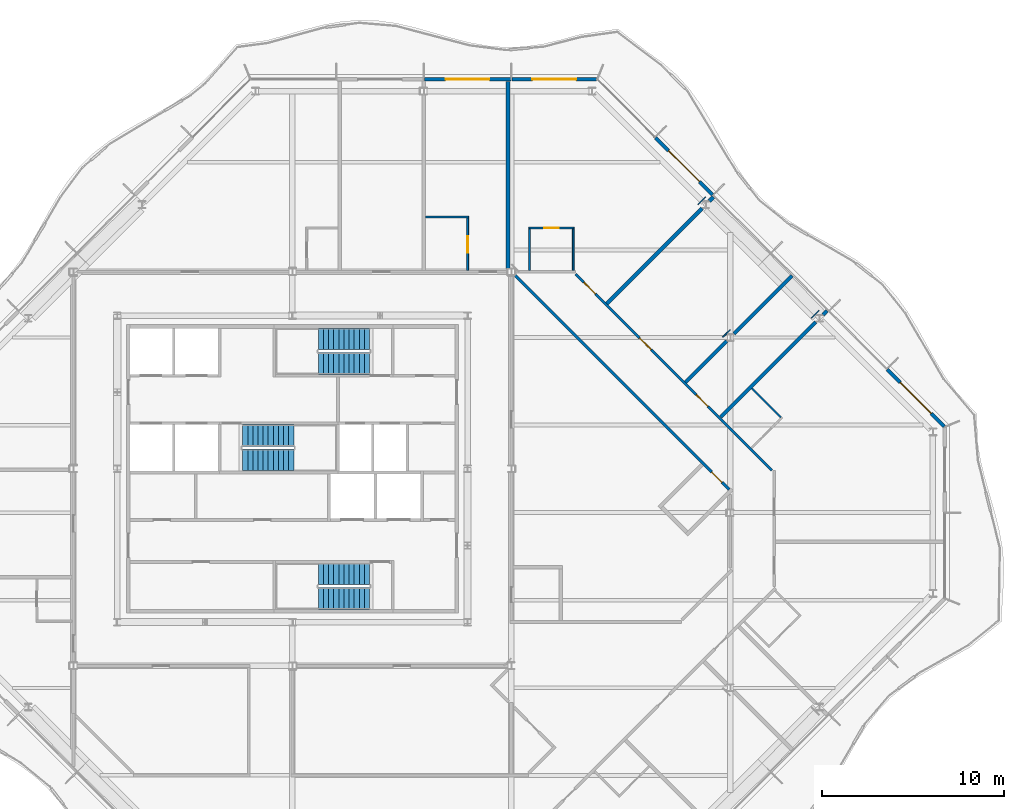
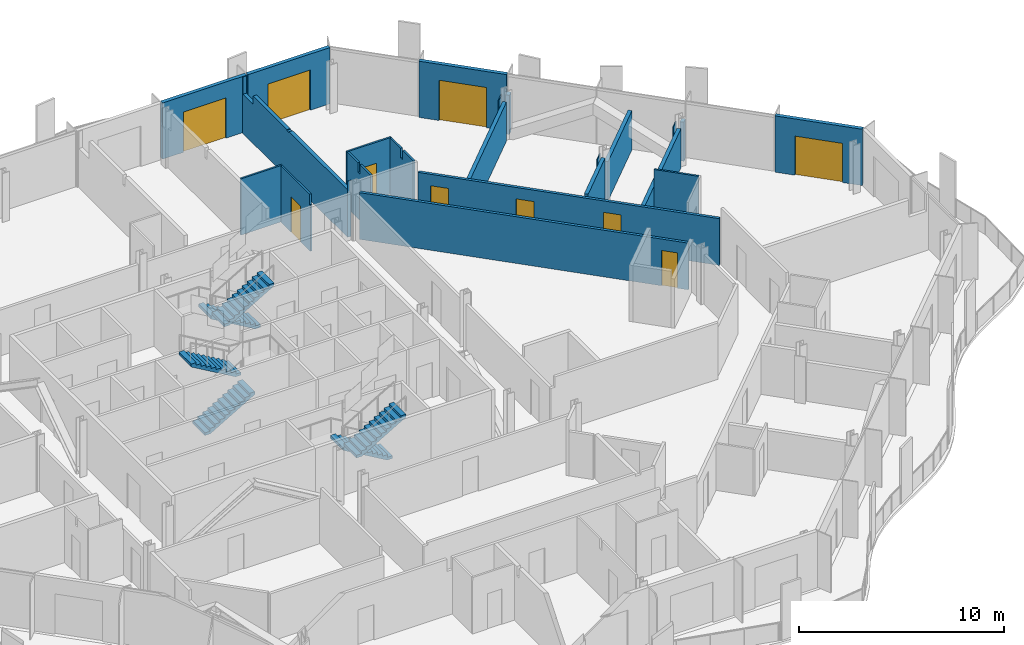
# One storey, part 12 of 17: 22 walls, 10 doors, 6 stair flights, 10 openings, 3 elements without a shape of their own.
"""IFC4 building model written with IfcOpenShell, lengths in metres."""

from ifc_helpers import new_model, si_unit, direction, frame, frame_2d, origin, place, context, subcontext, project, spatial, polyline, rectangle, outline, extrude, material, layer, layer_set, type_object, element, fill, aggregate, save


model = new_model("IFC4")

# Units and contexts
model_context = context("Model", 3, precision=1e-05, world=origin(), true_north=direction((0.0, 1.0)))
body_context = subcontext(model_context, "Body", "Model", "MODEL_VIEW")
ifc_project = project(units=[si_unit("LENGTHUNIT", "METRE"), si_unit("AREAUNIT", "SQUARE_METRE"), si_unit("VOLUMEUNIT", "CUBIC_METRE"), si_unit("PLANEANGLEUNIT", "RADIAN"), si_unit("MASSUNIT", "GRAM", prefix="KILO")], contexts=[model_context])

# Site, building, storey
site_placement = place(None, origin())
site = spatial("IfcSite", under=ifc_project, at=site_placement, CompositionType="ELEMENT")
building_placement = place(site_placement, origin())
building = spatial("IfcBuilding", under=site, at=building_placement, Name="Cairn Pilgrim Tower", CompositionType="ELEMENT")
storey_placement = place(building_placement, frame((0.0, 0.0, 257.39990234375)))
storey = spatial("IfcBuildingStorey", under=building, at=storey_placement, Name="L66", CompositionType="ELEMENT", Elevation=257.39990234375)

# Wall, opening, door
ifc_material_1 = material(Name="Bronze anodised aluminium insulated sandwich panel with mineral wool fill", Category="aluminium")
ifc_layer_1 = layer(ifc_material_1, 0.199951171875)
ifc_layer_set_1 = layer_set([ifc_layer_1], Name="BRONZE INFILL FRAME WALL 200")
wall_type_1 = type_object("IfcWallType", Name="BRONZE INFILL FRAME WALL 200", PredefinedType="NOTDEFINED", material=ifc_layer_set_1)
wall_1_placement = place(storey_placement, frame((42.921630859375, 4.724609375, 0.0), z_axis=(0.0, 0.0, 1.0), x_axis=(-0.707079168996, 0.707134392299, 0.0)))
wall_1 = element("IfcWall", 1, at=wall_1_placement, inside=storey, type_object=wall_type_1, Name="Bronze infill frame wall IW-NE1", PredefinedType="NOTDEFINED", context=body_context, shape_type="SweptSolid", body=[
    extrude(rectangle(XDim=4.4208984375, YDim=0.199951171875, at=frame_2d((2.21044921875, 0.0))), origin(), (0.0, 0.0, 1.0), 3.35009765625),
])
opening_1_placement = place(wall_1_placement, frame((1.00537109375, 0.0, 0.0)))
opening_1 = element("IfcOpeningElement", 2, at=opening_1_placement, cuts=wall_1, Name="Opening 6605B2", PredefinedType="OPENING", context=body_context, shape_type="SweptSolid", body=[
    extrude(rectangle(XDim=2.39990234375, YDim=2.330078125, at=frame_2d((1.199951171875, 1.1650390625))), frame((0.0, 0.10986328125, 0.0), z_axis=(0.0, -1.0, 0.0), x_axis=(1.0, 0.0, 0.0)), (0.0, 0.0, 1.0), 0.219970703125),
])
ifc_material_2 = material(Name="Bronze anodised aluminium frame with tinted low-E glass", Category="aluminium")
door_type_1 = type_object("IfcDoorType", Name="BALCONY SLIDING DOOR 2400x2330", OperationType="DOUBLE_DOOR_SLIDING", PredefinedType="DOOR", material=ifc_material_2)
door_1_placement = place(opening_1_placement, origin())
door_1 = element("IfcDoor", 3, at=door_1_placement, inside=storey, type_object=door_type_1, Name="Balcony sliding door 6605B2", OperationType="SINGLE_SWING_LEFT", OverallHeight=2.330078125, OverallWidth=2.39990234375, PredefinedType="DOOR", context=body_context, shape_type="SweptSolid", body=[
    extrude(rectangle(XDim=2.39990234375, YDim=2.330078125, at=frame_2d((1.199951171875, 1.1650390625))), frame((0.0, 0.02490234375, 0.0), z_axis=(0.0, -1.0, 0.0), x_axis=(1.0, 0.0, 0.0)), (0.0, 0.0, 1.0), 0.050048828125),
])
fill(opening_1, door_1)

wall_2_placement = place(storey_placement, frame((30.226318359375, 17.419921875, 0.0), z_axis=(0.0, 0.0, 1.0), x_axis=(-0.707079231393, 0.707134329907, 0.0)))
wall_2 = element("IfcWall", 4, at=wall_2_placement, inside=storey, type_object=wall_type_1, Name="Bronze infill frame wall IW-NE5", PredefinedType="NOTDEFINED", context=body_context, shape_type="SweptSolid", body=[
    extrude(rectangle(XDim=4.430908203125, YDim=0.199951171875, at=frame_2d((2.21533203125, 0.0))), origin(), (0.0, 0.0, 1.0), 3.35009765625),
])
opening_2_placement = place(wall_2_placement, frame((1.01513671875, 0.0, 0.0)))
opening_2 = element("IfcOpeningElement", 5, at=opening_2_placement, cuts=wall_2, Name="Opening 6608B2", PredefinedType="OPENING", context=body_context, shape_type="SweptSolid", body=[
    extrude(rectangle(XDim=2.39990234375, YDim=2.39990234375, at=frame_2d((1.199951171875, 1.199951171875))), frame((0.0, 0.10986328125, 0.0), z_axis=(0.0, -1.0, 0.0), x_axis=(1.0, 0.0, 0.0)), (0.0, 0.0, 1.0), 0.219970703125),
])
door_type_2 = type_object("IfcDoorType", Name="BALCONY SLIDING DOOR 2400x2400", OperationType="DOUBLE_DOOR_SLIDING", PredefinedType="DOOR", material=ifc_material_2)
door_2_placement = place(opening_2_placement, origin())
door_2 = element("IfcDoor", 6, at=door_2_placement, inside=storey, type_object=door_type_2, Name="Balcony sliding door 6608B2", OperationType="SINGLE_SWING_LEFT", OverallHeight=2.39990234375, OverallWidth=2.39990234375, PredefinedType="DOOR", context=body_context, shape_type="SweptSolid", body=[
    extrude(rectangle(XDim=2.39990234375, YDim=2.39990234375, at=frame_2d((1.199951171875, 1.199951171875))), frame((0.0, 0.02490234375, 0.0), z_axis=(0.0, -1.0, 0.0), x_axis=(1.0, 0.0, 0.0)), (0.0, 0.0, 1.0), 0.050048828125),
])
fill(opening_2, door_2)

wall_3_placement = place(storey_placement, frame((23.8564453125, 23.75, 0.0), z_axis=(0.0, 0.0, 1.0), x_axis=(-1.0, 0.0, 0.0)))
wall_3 = element("IfcWall", 7, at=wall_3_placement, inside=storey, type_object=wall_type_1, Name="Bronze infill frame wall IW-N1", PredefinedType="NOTDEFINED", context=body_context, shape_type="SweptSolid", body=[
    extrude(rectangle(XDim=4.62646484375, YDim=0.199951171875, at=frame_2d((2.313232421875, 0.0))), origin(), (0.0, 0.0, 1.0), 3.35009765625),
])
opening_3_placement = place(wall_3_placement, frame((1.1083984375, 0.0, 0.0)))
opening_3 = element("IfcOpeningElement", 8, at=opening_3_placement, cuts=wall_3, Name="Opening 6608B", PredefinedType="OPENING", context=body_context, shape_type="SweptSolid", body=[
    extrude(rectangle(XDim=2.39990234375, YDim=2.39990234375, at=frame_2d((1.199951171875, 1.199951171875))), frame((0.0, 0.10986328125, 0.0), z_axis=(0.0, -1.0, 0.0), x_axis=(1.0, 0.0, 0.0)), (0.0, 0.0, 1.0), 0.219970703125),
])
door_3_placement = place(opening_3_placement, origin())
door_3 = element("IfcDoor", 9, at=door_3_placement, inside=storey, type_object=door_type_2, Name="Balcony sliding door 6608B", OperationType="SINGLE_SWING_LEFT", OverallHeight=2.39990234375, OverallWidth=2.39990234375, PredefinedType="DOOR", context=body_context, shape_type="SweptSolid", body=[
    extrude(rectangle(XDim=2.39990234375, YDim=2.39990234375, at=frame_2d((1.199951171875, 1.199951171875))), frame((0.0, 0.02490234375, 0.0), z_axis=(0.0, -1.0, 0.0), x_axis=(1.0, 0.0, 0.0)), (0.0, 0.0, 1.0), 0.050048828125),
])
fill(opening_3, door_3)

wall_4_placement = place(storey_placement, frame((19.169921875, 23.75, 0.0), z_axis=(0.0, 0.0, 1.0), x_axis=(-1.0, 0.0, 0.0)))
wall_4 = element("IfcWall", 10, at=wall_4_placement, inside=storey, type_object=wall_type_1, Name="Bronze infill frame wall IW-N2", PredefinedType="NOTDEFINED", context=body_context, shape_type="SweptSolid", body=[
    extrude(rectangle(XDim=4.739990234375, YDim=0.199951171875, at=frame_2d((2.3701171875, 0.0))), origin(), (0.0, 0.0, 1.0), 3.35009765625),
])
opening_4_placement = place(wall_4_placement, frame((1.17041015625, 0.0, 0.0)))
opening_4 = element("IfcOpeningElement", 11, at=opening_4_placement, cuts=wall_4, Name="Opening 6609B", PredefinedType="OPENING", context=body_context, shape_type="SweptSolid", body=[
    extrude(rectangle(XDim=2.39990234375, YDim=2.39990234375, at=frame_2d((1.199951171875, 1.199951171875))), frame((0.0, 0.10986328125, 0.0), z_axis=(0.0, -1.0, 0.0), x_axis=(1.0, 0.0, 0.0)), (0.0, 0.0, 1.0), 0.219970703125),
])
door_4_placement = place(opening_4_placement, origin())
door_4 = element("IfcDoor", 12, at=door_4_placement, inside=storey, type_object=door_type_2, Name="Balcony sliding door 6609B", OperationType="SINGLE_SWING_LEFT", OverallHeight=2.39990234375, OverallWidth=2.39990234375, PredefinedType="DOOR", context=body_context, shape_type="SweptSolid", body=[
    extrude(rectangle(XDim=2.39990234375, YDim=2.39990234375, at=frame_2d((1.199951171875, 1.199951171875))), frame((0.0, 0.02490234375, 0.0), z_axis=(0.0, -1.0, 0.0), x_axis=(1.0, 0.0, 0.0)), (0.0, 0.0, 1.0), 0.050048828125),
])
fill(opening_4, door_4)

# Wall
ifc_material_3 = material(Name="Gypsum partition")
ifc_layer_2 = layer(ifc_material_3, 0.10009765625)
ifc_layer_set_2 = layer_set([ifc_layer_2], Name="PARTITION 100 DRYWALL")
wall_type_2 = type_object("IfcWallType", Name="PARTITION 100 DRYWALL", PredefinedType="PARTITIONING", material=ifc_layer_set_2)
wall_5_placement = place(storey_placement, frame((33.967529296875, 5.220458984375, 0.0), z_axis=(0.0, 0.0, 1.0), x_axis=(-0.707106781187, 0.707106781187, 0.0)))
element("IfcWall", 13, at=wall_5_placement, inside=storey, type_object=wall_type_2, Name="PARTITION W060", PredefinedType="PARTITIONING", context=body_context, shape_type="SweptSolid", body=[
    extrude(rectangle(XDim=2.249755859375, YDim=0.10009765625, at=frame_2d((1.125, 0.0))), origin(), (0.0, 0.0, 1.0), 3.35009765625),
])

# Wall, opening, door
wall_6_placement = place(storey_placement, frame((16.800048828125, 13.27490234375, 0.0), z_axis=(0.0, 0.0, 1.0), x_axis=(0.0, 1.0, 0.0)))
wall_6 = element("IfcWall", 14, at=wall_6_placement, inside=storey, type_object=wall_type_2, Name="PARTITION W071", PredefinedType="PARTITIONING", context=body_context, shape_type="SweptSolid", body=[
    extrude(outline(polyline([(0.0, 0.0), (2.875, 0.0), (2.875, 3.35009765625), (0.074951171875, 3.35009765625), (0.072998046875, 2.72998046875), (0.0, 2.72998046875), (0.0, 0.0)])), frame((0.0, 0.050048828125, 0.0), z_axis=(0.0, -1.0, 0.0), x_axis=(1.0, 0.0, 0.0)), (0.0, 0.0, 1.0), 0.10009765625),
])
opening_5_placement = place(wall_6_placement, frame((0.97509765625, 0.0, 0.0)))
opening_5 = element("IfcOpeningElement", 15, at=opening_5_placement, cuts=wall_6, Name="Opening 6609A", PredefinedType="OPENING", context=body_context, shape_type="SweptSolid", body=[
    extrude(rectangle(XDim=0.89990234375, YDim=2.10009765625, at=frame_2d((0.449951171875, 1.050048828125))), frame((0.0, 0.06005859375, 0.0), z_axis=(0.0, -1.0, 0.0), x_axis=(1.0, 0.0, 0.0)), (0.0, 0.0, 1.0), 0.1201171875),
])
ifc_material_4 = material(Name="Timber door leaf", Category="wood")
door_type_3 = type_object("IfcDoorType", Name="WC DOOR 900x2100", OperationType="NOTDEFINED", PredefinedType="DOOR", material=ifc_material_4)
door_5_placement = place(opening_5_placement, frame((0.89990234375, 0.0, 0.0), z_axis=(0.0, 0.0, 1.0), x_axis=(-1.0, 0.0, 0.0)))
door_5 = element("IfcDoor", 16, at=door_5_placement, inside=storey, type_object=door_type_3, Name="DOOR 6609A", OperationType="SINGLE_SWING_RIGHT", OverallHeight=2.10009765625, OverallWidth=0.89990234375, PredefinedType="DOOR", context=body_context, shape_type="SweptSolid", body=[
    extrude(rectangle(XDim=0.89990234375, YDim=2.10009765625, at=frame_2d((0.449951171875, 1.050048828125))), frame((0.0, 0.02490234375, 0.0), z_axis=(0.0, -1.0, 0.0), x_axis=(1.0, 0.0, 0.0)), (0.0, 0.0, 1.0), 0.050048828125),
])
fill(opening_5, door_5)

# Walls
for number, where, z_axis, x_axis, name in (
    (17, (20.194091796875, 13.27490234375, 0.0), (0.0, 0.0, 1.0), (0.0, 1.0, 0.0), "PARTITION W072"),
    (18, (22.593994140625, 13.27490234375, 0.0), (0.0, 0.0, 1.0), (0.0, 1.0, 0.0), "PARTITION W073"),
):
    element("IfcWall", number, at=place(storey_placement, frame(where, z_axis=z_axis, x_axis=x_axis)), inside=storey, type_object=wall_type_2, Name=name, PredefinedType="PARTITIONING", context=body_context, shape_type="SweptSolid", body=[
        extrude(outline(polyline([(0.0, 0.0), (2.275146484375, 0.0), (2.27490234375, 3.35009765625), (1.22998046875, 3.35009765625), (1.22802734375, 2.780029296875), (1.02001953125, 2.780029296875), (1.01806640625, 3.35009765625), (0.0, 3.35009765625), (0.0, 0.0)])), frame((0.0, 0.050048828125, 0.0), z_axis=(0.0, -1.0, 0.0), x_axis=(1.0, 0.0, 0.0)), (0.0, 0.0, 1.0), 0.10009765625),
    ])

# Wall, opening, door
wall_7_placement = place(storey_placement, frame((20.14404296875, 15.60009765625, 0.0), z_axis=(0.0, 0.0, 1.0), x_axis=(1.0, 0.0, 0.0)))
wall_7 = element("IfcWall", 19, at=wall_7_placement, inside=storey, type_object=wall_type_2, Name="PARTITION W076", PredefinedType="PARTITIONING", context=body_context, shape_type="SweptSolid", body=[
    extrude(rectangle(XDim=2.5, YDim=0.10009765625, at=frame_2d((1.25, 0.0))), origin(), (0.0, 0.0, 1.0), 3.35009765625),
])
opening_6_placement = place(wall_7_placement, frame((0.85009765625, 0.0, 0.0)))
opening_6 = element("IfcOpeningElement", 20, at=opening_6_placement, cuts=wall_7, Name="Opening 6608A", PredefinedType="OPENING", context=body_context, shape_type="SweptSolid", body=[
    extrude(rectangle(XDim=0.800048828125, YDim=2.10009765625, at=frame_2d((0.39990234375, 1.050048828125))), frame((0.0, 0.06005859375, 0.0), z_axis=(0.0, -1.0, 0.0), x_axis=(1.0, 0.0, 0.0)), (0.0, 0.0, 1.0), 0.1201171875),
])
door_type_4 = type_object("IfcDoorType", Name="WC DOOR 800x2100", OperationType="NOTDEFINED", PredefinedType="DOOR", material=ifc_material_4)
door_6_placement = place(opening_6_placement, origin())
door_6 = element("IfcDoor", 21, at=door_6_placement, inside=storey, type_object=door_type_4, Name="DOOR 6608A", OperationType="SINGLE_SWING_RIGHT", OverallHeight=2.10009765625, OverallWidth=0.800048828125, PredefinedType="DOOR", context=body_context, shape_type="SweptSolid", body=[
    extrude(rectangle(XDim=0.800048828125, YDim=2.10009765625, at=frame_2d((0.39990234375, 1.050048828125))), frame((0.0, 0.02490234375, 0.0), z_axis=(0.0, -1.0, 0.0), x_axis=(1.0, 0.0, 0.0)), (0.0, 0.0, 1.0), 0.050048828125),
])
fill(opening_6, door_6)

# Wall
wall_8_placement = place(storey_placement, frame((14.5, 16.199951171875, 0.0), z_axis=(0.0, 0.0, 1.0), x_axis=(1.0, 0.0, 0.0)))
element("IfcWall", 22, at=wall_8_placement, inside=storey, type_object=wall_type_2, Name="PARTITION W077", PredefinedType="PARTITIONING", context=body_context, shape_type="SweptSolid", body=[
    extrude(rectangle(XDim=2.35009765625, YDim=0.10009765625, at=frame_2d((1.175048828125, 0.0))), origin(), (0.0, 0.0, 1.0), 3.35009765625),
])

# Wall, opening, door
ifc_layer_3 = layer(ifc_material_3, 0.14990234375)
ifc_layer_set_3 = layer_set([ifc_layer_3], Name="PARTITION 150 DRYWALL EI 60")
wall_type_3 = type_object("IfcWallType", Name="PARTITION 150 DRYWALL EI 60", PredefinedType="PARTITIONING", material=ifc_layer_set_3)
wall_9_placement = place(storey_placement, frame((31.12939453125, 1.270751953125, 0.0), z_axis=(0.0, 0.0, 1.0), x_axis=(-0.707114135277, 0.70709942702, 0.0)))
wall_9 = element("IfcWall", 23, at=wall_9_placement, inside=storey, type_object=wall_type_3, Name="PARTITION W053", PredefinedType="PARTITIONING", context=body_context, shape_type="SweptSolid", body=[
    extrude(rectangle(XDim=16.598876953125, YDim=0.14990234375, at=frame_2d((8.29931640625, 0.0))), origin(), (0.0, 0.0, 1.0), 2.780029296875),
])
opening_7_placement = place(wall_9_placement, frame((0.550048828125, 0.0, 0.0)))
opening_7 = element("IfcOpeningElement", 24, at=opening_7_placement, cuts=wall_9, Name="Opening 6617", PredefinedType="OPENING", context=body_context, shape_type="SweptSolid", body=[
    extrude(rectangle(XDim=0.800048828125, YDim=2.10009765625, at=frame_2d((0.39990234375, 1.050048828125))), frame((0.0, 0.0849609375, 0.0), z_axis=(0.0, -1.0, 0.0), x_axis=(1.0, 0.0, 0.0)), (0.0, 0.0, 1.0), 0.169921875),
])
door_type_5 = type_object("IfcDoorType", Name="WC DOOR 800x2100 FD30S", OperationType="NOTDEFINED", PredefinedType="DOOR", material=ifc_material_4)
door_7_placement = place(opening_7_placement, origin())
door_7 = element("IfcDoor", 25, at=door_7_placement, inside=storey, type_object=door_type_5, Name="DOOR 6617", OperationType="SINGLE_SWING_LEFT", OverallHeight=2.10009765625, OverallWidth=0.800048828125, PredefinedType="DOOR", context=body_context, shape_type="SweptSolid", body=[
    extrude(rectangle(XDim=0.800048828125, YDim=2.10009765625, at=frame_2d((0.39990234375, 1.050048828125))), frame((0.0, 0.02490234375, 0.0), z_axis=(0.0, -1.0, 0.0), x_axis=(1.0, 0.0, 0.0)), (0.0, 0.0, 1.0), 0.050048828125),
])
fill(opening_7, door_7)

# Wall, openings, doors
wall_10_placement = place(storey_placement, frame((33.471923828125, 2.322021484375, 0.0), z_axis=(0.0, 0.0, 1.0), x_axis=(-0.707106781187, 0.707106781187, 0.0)))
wall_10 = element("IfcWall", 26, at=wall_10_placement, inside=storey, type_object=wall_type_3, Name="PARTITION W055", PredefinedType="PARTITIONING", context=body_context, shape_type="SweptSolid", body=[
    extrude(rectangle(XDim=15.202880859375, YDim=0.14990234375, at=frame_2d((7.6015625, 0.0))), origin(), (0.0, 0.0, 1.0), 2.780029296875),
])
opening_8_placement = place(wall_10_placement, frame((4.950927734375, 0.0, 0.0)))
opening_8 = element("IfcOpeningElement", 27, at=opening_8_placement, cuts=wall_10, Name="Opening 6606", PredefinedType="OPENING", context=body_context, shape_type="SweptSolid", body=[
    extrude(rectangle(XDim=0.89990234375, YDim=2.10009765625, at=frame_2d((0.449951171875, 1.050048828125))), frame((0.0, 0.0849609375, 0.0), z_axis=(0.0, -1.0, 0.0), x_axis=(1.0, 0.0, 0.0)), (0.0, 0.0, 1.0), 0.169921875),
])
opening_9_placement = place(wall_10_placement, frame((9.351806640625, 0.0, 0.0)))
opening_9 = element("IfcOpeningElement", 28, at=opening_9_placement, cuts=wall_10, Name="Opening 6607", PredefinedType="OPENING", context=body_context, shape_type="SweptSolid", body=[
    extrude(rectangle(XDim=0.89990234375, YDim=2.10009765625, at=frame_2d((0.449951171875, 1.050048828125))), frame((0.0, 0.0849609375, 0.0), z_axis=(0.0, -1.0, 0.0), x_axis=(1.0, 0.0, 0.0)), (0.0, 0.0, 1.0), 0.169921875),
])
opening_10_placement = place(wall_10_placement, frame((13.667724609375, 0.0, 0.0)))
opening_10 = element("IfcOpeningElement", 29, at=opening_10_placement, cuts=wall_10, Name="Opening 6608", PredefinedType="OPENING", context=body_context, shape_type="SweptSolid", body=[
    extrude(rectangle(XDim=0.89990234375, YDim=2.10009765625, at=frame_2d((0.449951171875, 1.050048828125))), frame((0.0, 0.0849609375, 0.0), z_axis=(0.0, -1.0, 0.0), x_axis=(1.0, 0.0, 0.0)), (0.0, 0.0, 1.0), 0.169921875),
])
door_type_6 = type_object("IfcDoorType", Name="ROOM DOOR 900x2100 FD30S", OperationType="NOTDEFINED", PredefinedType="DOOR", material=ifc_material_4)
door_8_placement = place(opening_10_placement, frame((0.89990234375, 0.0, 0.0), z_axis=(0.0, 0.0, 1.0), x_axis=(-1.0, 0.0, 0.0)))
door_8 = element("IfcDoor", 30, at=door_8_placement, inside=storey, type_object=door_type_6, Name="DOOR 6608", OperationType="SINGLE_SWING_RIGHT", OverallHeight=2.10009765625, OverallWidth=0.89990234375, PredefinedType="DOOR", context=body_context, shape_type="SweptSolid", body=[
    extrude(rectangle(XDim=0.89990234375, YDim=2.10009765625, at=frame_2d((0.449951171875, 1.050048828125))), frame((0.0, 0.02490234375, 0.0), z_axis=(0.0, -1.0, 0.0), x_axis=(1.0, 0.0, 0.0)), (0.0, 0.0, 1.0), 0.050048828125),
])
fill(opening_10, door_8)
door_type_7 = type_object("IfcDoorType", Name="SERVICE DOOR 900x2100 FD30S", OperationType="NOTDEFINED", PredefinedType="DOOR", material=ifc_material_4)
door_9_placement = place(opening_8_placement, frame((0.89990234375, 0.0, 0.0), z_axis=(0.0, 0.0, 1.0), x_axis=(-1.0, 0.0, 0.0)))
door_9 = element("IfcDoor", 31, at=door_9_placement, inside=storey, type_object=door_type_7, Name="DOOR 6606", OperationType="SINGLE_SWING_RIGHT", OverallHeight=2.10009765625, OverallWidth=0.89990234375, PredefinedType="DOOR", context=body_context, shape_type="SweptSolid", body=[
    extrude(rectangle(XDim=0.89990234375, YDim=2.10009765625, at=frame_2d((0.449951171875, 1.050048828125))), frame((0.0, 0.02490234375, 0.0), z_axis=(0.0, -1.0, 0.0), x_axis=(1.0, 0.0, 0.0)), (0.0, 0.0, 1.0), 0.050048828125),
])
fill(opening_8, door_9)
door_10_placement = place(opening_9_placement, frame((0.89990234375, 0.0, 0.0), z_axis=(0.0, 0.0, 1.0), x_axis=(-1.0, 0.0, 0.0)))
door_10 = element("IfcDoor", 32, at=door_10_placement, inside=storey, type_object=door_type_7, Name="DOOR 6607", OperationType="SINGLE_SWING_RIGHT", OverallHeight=2.10009765625, OverallWidth=0.89990234375, PredefinedType="DOOR", context=body_context, shape_type="SweptSolid", body=[
    extrude(rectangle(XDim=0.89990234375, YDim=2.10009765625, at=frame_2d((0.449951171875, 1.050048828125))), frame((0.0, 0.02490234375, 0.0), z_axis=(0.0, -1.0, 0.0), x_axis=(1.0, 0.0, 0.0)), (0.0, 0.0, 1.0), 0.050048828125),
])
fill(opening_9, door_10)

# Walls
ifc_layer_4 = layer(ifc_material_3, 0.050048828125)
ifc_layer_set_4 = layer_set([ifc_layer_4], Name="PARTITION 50 DRYWALL EI 60")
wall_type_4 = type_object("IfcWallType", Name="PARTITION 50 DRYWALL EI 60", PredefinedType="PARTITIONING", material=ifc_layer_set_4)
wall_11_placement = place(storey_placement, frame((35.652587890625, 10.669189453125, 0.0), z_axis=(0.0, 0.0, 1.0), x_axis=(0.707106781187, 0.707106781187, 0.0)))
element("IfcWall", 33, at=wall_11_placement, inside=storey, type_object=wall_type_4, Name="COLUMN CASING WC19", PredefinedType="PARTITIONING", context=body_context, shape_type="SweptSolid", body=[
    extrude(rectangle(XDim=0.573486328125, YDim=0.050048828125, at=frame_2d((0.28662109375, 0.0))), origin(), (0.0, 0.0, 1.0), 2.330078125),
])
wall_12_placement = place(storey_placement, frame((30.786376953125, 9.61767578125, 0.0), z_axis=(0.0, 0.0, 1.0), x_axis=(0.707106781187, 0.707106781187, 0.0)))
element("IfcWall", 34, at=wall_12_placement, inside=storey, type_object=wall_type_4, Name="COLUMN CASING WC20", PredefinedType="PARTITIONING", context=body_context, shape_type="SweptSolid", body=[
    extrude(rectangle(XDim=0.56005859375, YDim=0.050048828125, at=frame_2d((0.280029296875, 0.0))), origin(), (0.0, 0.0, 1.0), 2.780029296875),
])
wall_13_placement = place(storey_placement, frame((29.42822265625, 16.893310546875, 0.0), z_axis=(0.0, 0.0, 1.0), x_axis=(0.707106781187, 0.707106781187, 0.0)))
element("IfcWall", 35, at=wall_13_placement, inside=storey, type_object=wall_type_4, Name="COLUMN CASING WC21", PredefinedType="PARTITIONING", context=body_context, shape_type="SweptSolid", body=[
    extrude(rectangle(XDim=0.573486328125, YDim=0.050048828125, at=frame_2d((0.28662109375, 0.0))), origin(), (0.0, 0.0, 1.0), 2.330078125),
])
ifc_layer_5 = layer(ifc_material_3, 0.199951171875)
ifc_layer_set_5 = layer_set([ifc_layer_5], Name="SHAFT WALL 200 GYPSUM EI 60")
wall_type_5 = type_object("IfcWallType", Name="SHAFT WALL 200 GYPSUM EI 60", PredefinedType="PARTITIONING", material=ifc_layer_set_5)
wall_14_placement = place(storey_placement, frame((30.662109375, 5.238037109375, 0.0), z_axis=(0.0, 0.0, 1.0), x_axis=(0.707106781187, 0.707106781187, 0.0)))
element("IfcWall", 36, at=wall_14_placement, inside=storey, type_object=wall_type_5, Name="PARTITION W059", PredefinedType="PARTITIONING", context=body_context, shape_type="SweptSolid", body=[
    extrude(rectangle(XDim=7.369140625, YDim=0.199951171875, at=frame_2d((3.6845703125, 0.0))), origin(), (0.0, 0.0, 1.0), 2.330078125),
])
wall_15_placement = place(storey_placement, frame((28.75, 7.14990234375, 0.0), z_axis=(0.0, 0.0, 1.0), x_axis=(0.7070684525, 0.707145107796, 0.0)))
element("IfcWall", 37, at=wall_15_placement, inside=storey, type_object=wall_type_5, Name="PARTITION W061", PredefinedType="PARTITIONING", context=body_context, shape_type="SweptSolid", body=[
    extrude(rectangle(XDim=3.184814453125, YDim=0.199951171875, at=frame_2d((1.59228515625, 0.0))), origin(), (0.0, 0.0, 1.0), 2.93017578125),
])
wall_16_placement = place(storey_placement, frame((31.39794921875, 9.798095703125, 0.0), z_axis=(0.0, 0.0, 1.0), x_axis=(0.707133900936, 0.707079660397, 0.0)))
element("IfcWall", 38, at=wall_16_placement, inside=storey, type_object=wall_type_5, Name="PARTITION W062", PredefinedType="PARTITIONING", context=body_context, shape_type="SweptSolid", body=[
    extrude(rectangle(XDim=4.5009765625, YDim=0.199951171875, at=frame_2d((2.25048828125, 0.0))), origin(), (0.0, 0.0, 1.0), 2.330078125),
])
wall_17_placement = place(storey_placement, frame((36.2783203125, 10.8544921875, 0.0), z_axis=(0.0, 0.0, 1.0), x_axis=(0.707509117806, 0.706704215511, 0.0)))
element("IfcWall", 39, at=wall_17_placement, inside=storey, type_object=wall_type_5, Name="PARTITION W063", PredefinedType="PARTITIONING", context=body_context, shape_type="SweptSolid", body=[
    extrude(rectangle(XDim=0.30322265625, YDim=0.199951171875, at=frame_2d((0.151611328125, 0.0))), origin(), (0.0, 0.0, 1.0), 2.330078125),
])
wall_18_placement = place(storey_placement, frame((24.43798828125, 11.4619140625, 0.0), z_axis=(0.0, 0.0, 1.0), x_axis=(0.707090216072, 0.707123345913, 0.0)))
element("IfcWall", 40, at=wall_18_placement, inside=storey, type_object=wall_type_5, Name="PARTITION W064", PredefinedType="PARTITIONING", context=body_context, shape_type="SweptSolid", body=[
    extrude(rectangle(XDim=7.369140625, YDim=0.199951171875, at=frame_2d((3.6845703125, 0.0))), origin(), (0.0, 0.0, 1.0), 2.330078125),
])
wall_19_placement = place(storey_placement, frame((19.013916015625, 13.387451171875, 0.0), z_axis=(0.0, 0.0, 1.0), x_axis=(0.0, 1.0, 0.0)))
element("IfcWall", 41, at=wall_19_placement, inside=storey, type_object=wall_type_5, Name="PARTITION W074", PredefinedType="PARTITIONING", context=body_context, shape_type="SweptSolid", body=[
    extrude(outline(polyline([(0.0, 0.0), (10.232666015625, 0.0), (10.232421875, 3.35009765625), (10.21240234375, 3.35009765625), (10.21044921875, 2.330078125), (9.21240234375, 2.330078125), (9.21044921875, 2.830078125), (5.91748046875, 2.830078125), (5.91552734375, 2.780029296875), (5.70751953125, 2.780029296875), (5.70556640625, 2.830078125), (0.009521484375, 2.830078125), (0.007568359375, 3.35009765625), (0.0, 3.35009765625), (0.0, 0.0)])), frame((0.0, 0.10009765625, 0.0), z_axis=(0.0, -1.0, 0.0), x_axis=(1.0, 0.0, 0.0)), (0.0, 0.0, 1.0), 0.199951171875),
])
wall_20_placement = place(storey_placement, frame((30.054443359375, 17.078369140625, 0.0), z_axis=(0.0, 0.0, 1.0), x_axis=(0.707106781187, 0.707106781187, 0.0)))
element("IfcWall", 42, at=wall_20_placement, inside=storey, type_object=wall_type_5, Name="PARTITION W078", PredefinedType="PARTITIONING", context=body_context, shape_type="SweptSolid", body=[
    extrude(rectangle(XDim=0.30322265625, YDim=0.199951171875, at=frame_2d((0.151611328125, 0.0))), origin(), (0.0, 0.0, 1.0), 2.330078125),
])

# Stair, stair flights
ifc_material_5 = material(Name="Concrete C32/40", Category="concrete")
stair_type = type_object("IfcStairType", Name="EXIT STAIR 1200", PredefinedType="HALF_TURN_STAIR", material=ifc_material_5)
stair_1_placement = place(storey_placement, origin())
stair_1 = element("IfcStair", 43, at=stair_1_placement, inside=storey, type_object=stair_type, Name="L66 Exit Stair A", PredefinedType="HALF_TURN_STAIR")
stair_flight_type = type_object("IfcStairFlightType", Name="STAIR FLIGHT 1200", PredefinedType="STRAIGHT", material=ifc_material_5)
stair_flight_1_placement = place(storey_placement, frame((11.425048828125, -3.375, 0.0), z_axis=(0.0, 0.0, 1.0), x_axis=(-1.0, 0.0, 0.0)))
stair_flight_1 = element("IfcStairFlight", 44, at=stair_flight_1_placement, type_object=stair_flight_type, Name="ST-A flight 1", NumberOfRisers=11, NumberOfTreads=10, PredefinedType="STRAIGHT", RiserHeight=0.163636364, TreadLength=0.28, context=body_context, shape_type="SweptSolid", body=[
    extrude(outline(polyline([(0.0, 0.0), (0.0, 0.16357421875), (0.280029296875, 0.16357421875), (0.280029296875, 0.327392578125), (0.56005859375, 0.327392578125), (0.56005859375, 0.490966796875), (0.840087890625, 0.490966796875), (0.840087890625, 0.654541015625), (1.1201171875, 0.654541015625), (1.1201171875, 0.818115234375), (1.39990234375, 0.818115234375), (1.39990234375, 0.98193359375), (1.679931640625, 0.98193359375), (1.679931640625, 1.1455078125), (1.9599609375, 1.1455078125), (1.9599609375, 1.30908203125), (2.239990234375, 1.30908203125), (2.239990234375, 1.47265625), (2.52001953125, 1.47265625), (2.52001953125, 1.636474609375), (2.800048828125, 1.636474609375), (2.800048828125, 1.800048828125), (2.800048828125, 1.462646484375), (0.297119140625, 0.0), (0.0, 0.0)])), frame((0.0, 0.60009765625, 0.0), z_axis=(0.0, -1.0, 0.0), x_axis=(1.0, 0.0, 0.0)), (0.0, 0.0, 1.0), 1.199951171875),
])
stair_flight_2_placement = place(storey_placement, frame((8.625, -4.699951171875, 1.800048828125), z_axis=(0.0, 0.0, 1.0), x_axis=(1.0, 0.0, 0.0)))
stair_flight_2 = element("IfcStairFlight", 45, at=stair_flight_2_placement, type_object=stair_flight_type, Name="ST-A flight 2", NumberOfRisers=11, NumberOfTreads=10, PredefinedType="STRAIGHT", RiserHeight=0.163636364, TreadLength=0.28, context=body_context, shape_type="SweptSolid", body=[
    extrude(outline(polyline([(0.0, 0.0), (0.0, 0.16357421875), (0.280029296875, 0.16357421875), (0.280029296875, 0.327392578125), (0.56005859375, 0.327392578125), (0.56005859375, 0.490966796875), (0.840087890625, 0.490966796875), (0.840087890625, 0.654541015625), (1.1201171875, 0.654541015625), (1.1201171875, 0.818115234375), (1.39990234375, 0.818115234375), (1.39990234375, 0.98193359375), (1.679931640625, 0.98193359375), (1.679931640625, 1.1455078125), (1.9599609375, 1.1455078125), (1.9599609375, 1.30908203125), (2.239990234375, 1.30908203125), (2.239990234375, 1.47265625), (2.52001953125, 1.47265625), (2.52001953125, 1.636474609375), (2.800048828125, 1.636474609375), (2.800048828125, 1.800048828125), (2.800048828125, 1.462646484375), (0.297119140625, 0.0), (0.0, 0.0)])), frame((0.0, 0.60009765625, 0.0), z_axis=(0.0, -1.0, 0.0), x_axis=(1.0, 0.0, 0.0)), (0.0, 0.0, 1.0), 1.199951171875),
])
aggregate(stair_1, [stair_flight_1, stair_flight_2])

stair_2_placement = place(storey_placement, origin())
stair_2 = element("IfcStair", 46, at=stair_2_placement, inside=storey, type_object=stair_type, Name="L66 Exit Stair B", PredefinedType="HALF_TURN_STAIR")
stair_flight_3_placement = place(storey_placement, frame((4.47509765625, 2.875, 0.0), z_axis=(0.0, 0.0, 1.0), x_axis=(1.0, 0.0, 0.0)))
stair_flight_3 = element("IfcStairFlight", 47, at=stair_flight_3_placement, type_object=stair_flight_type, Name="ST-B flight 1", NumberOfRisers=11, NumberOfTreads=10, PredefinedType="STRAIGHT", RiserHeight=0.163636364, TreadLength=0.28, context=body_context, shape_type="SweptSolid", body=[
    extrude(outline(polyline([(0.0, 0.0), (0.0, 0.16357421875), (0.280029296875, 0.16357421875), (0.280029296875, 0.327392578125), (0.56005859375, 0.327392578125), (0.56005859375, 0.490966796875), (0.840087890625, 0.490966796875), (0.840087890625, 0.654541015625), (1.1201171875, 0.654541015625), (1.1201171875, 0.818115234375), (1.39990234375, 0.818115234375), (1.39990234375, 0.98193359375), (1.679931640625, 0.98193359375), (1.679931640625, 1.1455078125), (1.9599609375, 1.1455078125), (1.9599609375, 1.30908203125), (2.239990234375, 1.30908203125), (2.239990234375, 1.47265625), (2.52001953125, 1.47265625), (2.52001953125, 1.636474609375), (2.800048828125, 1.636474609375), (2.800048828125, 1.800048828125), (2.800048828125, 1.462646484375), (0.297119140625, 0.0), (0.0, 0.0)])), frame((0.0, 0.60009765625, 0.0), z_axis=(0.0, -1.0, 0.0), x_axis=(1.0, 0.0, 0.0)), (0.0, 0.0, 1.0), 1.199951171875),
])
stair_flight_4_placement = place(storey_placement, frame((7.27490234375, 4.22509765625, 1.800048828125), z_axis=(0.0, 0.0, 1.0), x_axis=(-1.0, 0.0, 0.0)))
stair_flight_4 = element("IfcStairFlight", 48, at=stair_flight_4_placement, type_object=stair_flight_type, Name="ST-B flight 2", NumberOfRisers=11, NumberOfTreads=10, PredefinedType="STRAIGHT", RiserHeight=0.163636364, TreadLength=0.28, context=body_context, shape_type="SweptSolid", body=[
    extrude(outline(polyline([(0.0, 0.0), (0.0, 0.16357421875), (0.280029296875, 0.16357421875), (0.280029296875, 0.327392578125), (0.56005859375, 0.327392578125), (0.56005859375, 0.490966796875), (0.840087890625, 0.490966796875), (0.840087890625, 0.654541015625), (1.1201171875, 0.654541015625), (1.1201171875, 0.818115234375), (1.39990234375, 0.818115234375), (1.39990234375, 0.98193359375), (1.679931640625, 0.98193359375), (1.679931640625, 1.1455078125), (1.9599609375, 1.1455078125), (1.9599609375, 1.30908203125), (2.239990234375, 1.30908203125), (2.239990234375, 1.47265625), (2.52001953125, 1.47265625), (2.52001953125, 1.636474609375), (2.800048828125, 1.636474609375), (2.800048828125, 1.800048828125), (2.800048828125, 1.462646484375), (0.297119140625, 0.0), (0.0, 0.0)])), frame((0.0, 0.60009765625, 0.0), z_axis=(0.0, -1.0, 0.0), x_axis=(1.0, 0.0, 0.0)), (0.0, 0.0, 1.0), 1.199951171875),
])
aggregate(stair_2, [stair_flight_3, stair_flight_4])

stair_3_placement = place(storey_placement, origin())
stair_3 = element("IfcStair", 49, at=stair_3_placement, inside=storey, type_object=stair_type, Name="L66 Exit Stair C", PredefinedType="HALF_TURN_STAIR")
stair_flight_5_placement = place(storey_placement, frame((11.425048828125, 9.5, 0.0), z_axis=(0.0, 0.0, 1.0), x_axis=(-1.0, 0.0, 0.0)))
stair_flight_5 = element("IfcStairFlight", 50, at=stair_flight_5_placement, type_object=stair_flight_type, Name="ST-C flight 1", NumberOfRisers=11, NumberOfTreads=10, PredefinedType="STRAIGHT", RiserHeight=0.163636364, TreadLength=0.28, context=body_context, shape_type="SweptSolid", body=[
    extrude(outline(polyline([(0.0, 0.0), (0.0, 0.16357421875), (0.280029296875, 0.16357421875), (0.280029296875, 0.327392578125), (0.56005859375, 0.327392578125), (0.56005859375, 0.490966796875), (0.840087890625, 0.490966796875), (0.840087890625, 0.654541015625), (1.1201171875, 0.654541015625), (1.1201171875, 0.818115234375), (1.39990234375, 0.818115234375), (1.39990234375, 0.98193359375), (1.679931640625, 0.98193359375), (1.679931640625, 1.1455078125), (1.9599609375, 1.1455078125), (1.9599609375, 1.30908203125), (2.239990234375, 1.30908203125), (2.239990234375, 1.47265625), (2.52001953125, 1.47265625), (2.52001953125, 1.636474609375), (2.800048828125, 1.636474609375), (2.800048828125, 1.800048828125), (2.800048828125, 1.462646484375), (0.297119140625, 0.0), (0.0, 0.0)])), frame((0.0, 0.60009765625, 0.0), z_axis=(0.0, -1.0, 0.0), x_axis=(1.0, 0.0, 0.0)), (0.0, 0.0, 1.0), 1.199951171875),
])
stair_flight_6_placement = place(storey_placement, frame((8.625, 8.175048828125, 1.800048828125), z_axis=(0.0, 0.0, 1.0), x_axis=(1.0, 0.0, 0.0)))
stair_flight_6 = element("IfcStairFlight", 51, at=stair_flight_6_placement, type_object=stair_flight_type, Name="ST-C flight 2", NumberOfRisers=11, NumberOfTreads=10, PredefinedType="STRAIGHT", RiserHeight=0.163636364, TreadLength=0.28, context=body_context, shape_type="SweptSolid", body=[
    extrude(outline(polyline([(0.0, 0.0), (0.0, 0.16357421875), (0.280029296875, 0.16357421875), (0.280029296875, 0.327392578125), (0.56005859375, 0.327392578125), (0.56005859375, 0.490966796875), (0.840087890625, 0.490966796875), (0.840087890625, 0.654541015625), (1.1201171875, 0.654541015625), (1.1201171875, 0.818115234375), (1.39990234375, 0.818115234375), (1.39990234375, 0.98193359375), (1.679931640625, 0.98193359375), (1.679931640625, 1.1455078125), (1.9599609375, 1.1455078125), (1.9599609375, 1.30908203125), (2.239990234375, 1.30908203125), (2.239990234375, 1.47265625), (2.52001953125, 1.47265625), (2.52001953125, 1.636474609375), (2.800048828125, 1.636474609375), (2.800048828125, 1.800048828125), (2.800048828125, 1.462646484375), (0.297119140625, 0.0), (0.0, 0.0)])), frame((0.0, 0.60009765625, 0.0), z_axis=(0.0, -1.0, 0.0), x_axis=(1.0, 0.0, 0.0)), (0.0, 0.0, 1.0), 1.199951171875),
])
aggregate(stair_3, [stair_flight_5, stair_flight_6])

save(model, "model.ifc")
